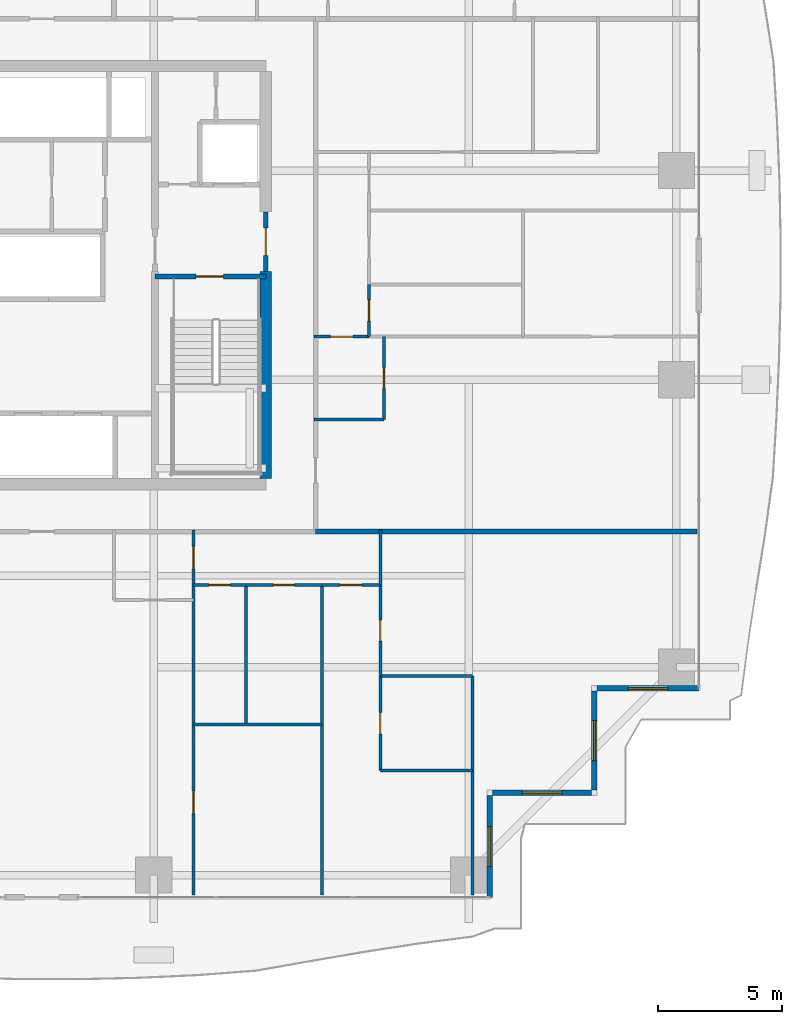
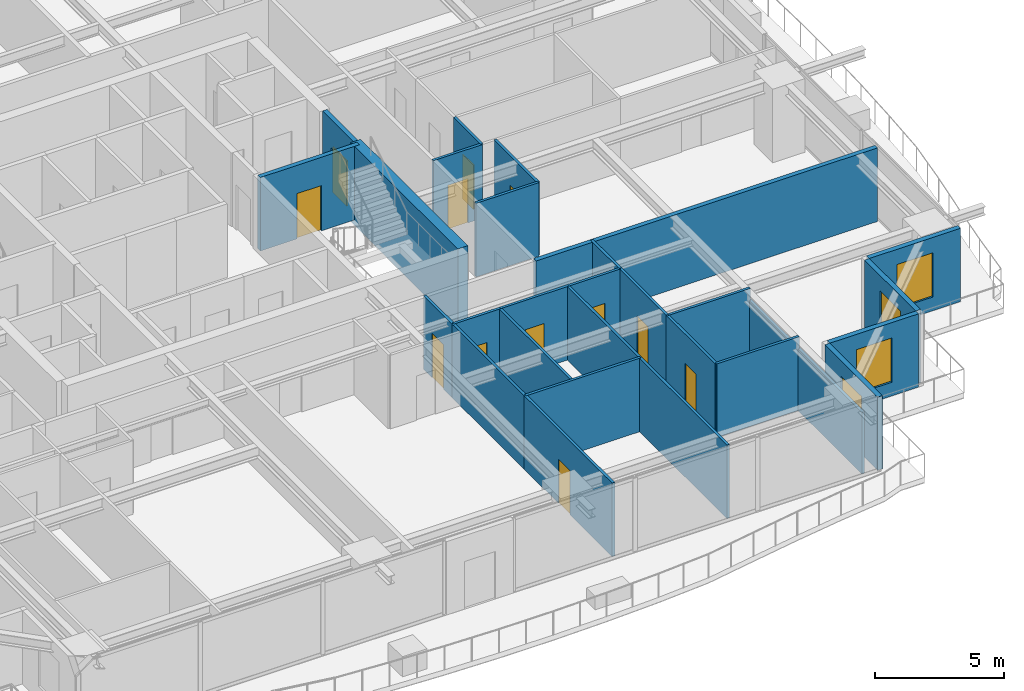
# One storey, part 29 of 39: 27 walls, 12 doors, 4 windows, 16 openings.
"""IFC4 building model written with IfcOpenShell, lengths in metres."""

from ifc_helpers import new_model, si_unit, direction, frame, frame_2d, origin, place, context, subcontext, project, spatial, rectangle, extrude, source, transform, mapped, material, layer, layer_set, type_object, element, fill, save


model = new_model("IFC4")

# Units and contexts
model_context = context("Model", 3, precision=1e-05, world=origin(), true_north=direction((0.0, 1.0)))
body_context = subcontext(model_context, "Body", "Model", "MODEL_VIEW")
ifc_project = project(units=[si_unit("LENGTHUNIT", "METRE"), si_unit("AREAUNIT", "SQUARE_METRE"), si_unit("VOLUMEUNIT", "CUBIC_METRE"), si_unit("PLANEANGLEUNIT", "RADIAN"), si_unit("MASSUNIT", "GRAM", prefix="KILO")], contexts=[model_context])

# Site, building, storey
site_placement = place(None, origin())
site = spatial("IfcSite", under=ifc_project, at=site_placement, CompositionType="ELEMENT")
building_placement = place(site_placement, origin())
building = spatial("IfcBuilding", under=site, at=building_placement, Name="Serunith Strait Residences", CompositionType="ELEMENT")
storey_placement = place(building_placement, frame((0.0, 0.0, 79.199951171875)))
storey = spatial("IfcBuildingStorey", under=building, at=storey_placement, Name="L19", CompositionType="ELEMENT", Elevation=79.199951171875)

# Wall, opening, window
ifc_material_1 = material(Name="Pale-Champagne Aluminium Insulated Panel", Category="aluminium")
ifc_layer_1 = layer(ifc_material_1, 0.219970703125, Name="Pale-Champagne Aluminium Insulated Panel")
ifc_layer_set_1 = layer_set([ifc_layer_1], Name="Pale-Champagne Aluminium Insulated Panel")
wall_type_1 = type_object("IfcWallType", Name="EW-ALUM-220", PredefinedType="ELEMENTEDWALL", material=ifc_layer_set_1)
wall_1_placement = place(storey_placement, frame((50.39990234375, 0.199951171875, 0.0), z_axis=(0.0, 0.0, 1.0), x_axis=(0.0, 1.0, 0.0)))
wall_1 = element("IfcWall", 1, at=wall_1_placement, inside=storey, type_object=wall_type_1, Name="L19 Girih Serrated Corner Wall 02", PredefinedType="ELEMENTEDWALL", context=body_context, shape_type="SweptSolid", body=[
    extrude(rectangle(XDim=4.090087890625, YDim=0.219970703125, at=frame_2d((2.044921875, 0.0))), origin(), (0.0, 0.0, 1.0), 3.47509765625),
])
opening_1_placement = place(wall_1_placement, frame((1.2451171875, 0.0, 0.64990234375)))
opening_1 = element("IfcOpeningElement", 2, at=opening_1_placement, cuts=wall_1, Name="Opening W-02", PredefinedType="OPENING", context=body_context, shape_type="SweptSolid", body=[
    extrude(rectangle(XDim=1.60009765625, YDim=2.10009765625, at=frame_2d((0.800048828125, 1.050048828125))), frame((0.0, 0.1201171875, 0.0), z_axis=(0.0, -1.0, 0.0), x_axis=(1.0, 0.0, 0.0)), (0.0, 0.0, 1.0), 0.239990234375),
])
ifc_material_2 = material(Name="Ceramic-Fritted Operable Aluminium Window Glass", Category="aluminium")
window_type = type_object("IfcWindowType", Name="WIN-C2", PartitioningType="DOUBLE_PANEL_VERTICAL", PredefinedType="WINDOW", material=ifc_material_2)
shared_shape_1 = source(origin(), body_context, "Body", "SweptSolid", [
    extrude(rectangle(XDim=1.60009765625, YDim=2.10009765625, at=frame_2d((0.800048828125, 1.050048828125))), frame((0.0, 0.030029296875, 0.0), z_axis=(0.0, -1.0, 0.0), x_axis=(1.0, 0.0, 0.0)), (0.0, 0.0, 1.0), 0.06005859375),
])
window_1_placement = place(opening_1_placement, origin())
window_1 = element("IfcWindow", 3, at=window_1_placement, inside=storey, type_object=window_type, Name="L19 Corner Operable Fritted Window 02", OverallHeight=2.10009765625, OverallWidth=1.60009765625, PartitioningType="SINGLE_PANEL", PredefinedType="WINDOW", context=body_context, shape_type="MappedRepresentation", body=[
    mapped(shared_shape_1, transform((0.0, 0.0, 0.0), scale=1.0)),
])
fill(opening_1, window_1)

wall_2_placement = place(storey_placement, frame((50.510009765625, 4.39990234375, 0.0), z_axis=(0.0, 0.0, 1.0), x_axis=(1.0, 0.0, 0.0)))
wall_2 = element("IfcWall", 4, at=wall_2_placement, inside=storey, type_object=wall_type_1, Name="L19 Girih Serrated Corner Wall 03", PredefinedType="ELEMENTEDWALL", context=body_context, shape_type="SweptSolid", body=[
    extrude(rectangle(XDim=3.97998046875, YDim=0.219970703125, at=frame_2d((1.989990234375, 0.0))), origin(), (0.0, 0.0, 1.0), 3.47509765625),
])
opening_2_placement = place(wall_2_placement, frame((1.18994140625, 0.0, 0.64990234375)))
opening_2 = element("IfcOpeningElement", 5, at=opening_2_placement, cuts=wall_2, Name="Opening W-02", PredefinedType="OPENING", context=body_context, shape_type="SweptSolid", body=[
    extrude(rectangle(XDim=1.60009765625, YDim=2.10009765625, at=frame_2d((0.800048828125, 1.050048828125))), frame((0.0, 0.1201171875, 0.0), z_axis=(0.0, -1.0, 0.0), x_axis=(1.0, 0.0, 0.0)), (0.0, 0.0, 1.0), 0.239990234375),
])
window_2_placement = place(opening_2_placement, origin())
window_2 = element("IfcWindow", 6, at=window_2_placement, inside=storey, type_object=window_type, Name="L19 Corner Operable Fritted Window 03", OverallHeight=2.10009765625, OverallWidth=1.60009765625, PartitioningType="SINGLE_PANEL", PredefinedType="WINDOW", context=body_context, shape_type="MappedRepresentation", body=[
    mapped(shared_shape_1, transform((0.0, 0.0, 0.0), scale=1.0)),
])
fill(opening_2, window_2)

wall_3_placement = place(storey_placement, frame((54.60009765625, 4.510009765625, 0.0), z_axis=(0.0, 0.0, 1.0), x_axis=(0.0, 1.0, 0.0)))
wall_3 = element("IfcWall", 7, at=wall_3_placement, inside=storey, type_object=wall_type_1, Name="L19 Girih Serrated Corner Wall 04", PredefinedType="ELEMENTEDWALL", context=body_context, shape_type="SweptSolid", body=[
    extrude(rectangle(XDim=3.97998046875, YDim=0.219970703125, at=frame_2d((1.989990234375, 0.0))), origin(), (0.0, 0.0, 1.0), 3.47509765625),
])
opening_3_placement = place(wall_3_placement, frame((1.18994140625, 0.0, 0.64990234375)))
opening_3 = element("IfcOpeningElement", 8, at=opening_3_placement, cuts=wall_3, Name="Opening W-02", PredefinedType="OPENING", context=body_context, shape_type="SweptSolid", body=[
    extrude(rectangle(XDim=1.60009765625, YDim=2.10009765625, at=frame_2d((0.800048828125, 1.050048828125))), frame((0.0, 0.1201171875, 0.0), z_axis=(0.0, -1.0, 0.0), x_axis=(1.0, 0.0, 0.0)), (0.0, 0.0, 1.0), 0.239990234375),
])
window_3_placement = place(opening_3_placement, origin())
window_3 = element("IfcWindow", 9, at=window_3_placement, inside=storey, type_object=window_type, Name="L19 Corner Operable Fritted Window 04", OverallHeight=2.10009765625, OverallWidth=1.60009765625, PartitioningType="SINGLE_PANEL", PredefinedType="WINDOW", context=body_context, shape_type="MappedRepresentation", body=[
    mapped(shared_shape_1, transform((0.0, 0.0, 0.0), scale=1.0)),
])
fill(opening_3, window_3)

wall_4_placement = place(storey_placement, frame((54.7099609375, 8.60009765625, 0.0), z_axis=(0.0, 0.0, 1.0), x_axis=(1.0, 0.0, 0.0)))
wall_4 = element("IfcWall", 10, at=wall_4_placement, inside=storey, type_object=wall_type_1, Name="L19 Girih Serrated Corner Wall 05", PredefinedType="ELEMENTEDWALL", context=body_context, shape_type="SweptSolid", body=[
    extrude(rectangle(XDim=4.090087890625, YDim=0.219970703125, at=frame_2d((2.044921875, 0.0))), origin(), (0.0, 0.0, 1.0), 3.47509765625),
])
opening_4_placement = place(wall_4_placement, frame((1.2451171875, 0.0, 0.64990234375)))
opening_4 = element("IfcOpeningElement", 11, at=opening_4_placement, cuts=wall_4, Name="Opening W-02", PredefinedType="OPENING", context=body_context, shape_type="SweptSolid", body=[
    extrude(rectangle(XDim=1.60009765625, YDim=2.10009765625, at=frame_2d((0.800048828125, 1.050048828125))), frame((0.0, 0.1201171875, 0.0), z_axis=(0.0, -1.0, 0.0), x_axis=(1.0, 0.0, 0.0)), (0.0, 0.0, 1.0), 0.239990234375),
])
window_4_placement = place(opening_4_placement, origin())
window_4 = element("IfcWindow", 12, at=window_4_placement, inside=storey, type_object=window_type, Name="L19 Corner Operable Fritted Window 05", OverallHeight=2.10009765625, OverallWidth=1.60009765625, PartitioningType="SINGLE_PANEL", PredefinedType="WINDOW", context=body_context, shape_type="MappedRepresentation", body=[
    mapped(shared_shape_1, transform((0.0, 0.0, 0.0), scale=1.0)),
])
fill(opening_4, window_4)

# Wall, opening, door
ifc_material_3 = material(Name="Lightweight steel-stud gypsum partition", Category="steel")
ifc_layer_2 = layer(ifc_material_3, 0.1201171875, Name="Lightweight steel-stud gypsum partition")
ifc_layer_set_2 = layer_set([ifc_layer_2], Name="Lightweight steel-stud gypsum partition")
wall_type_2 = type_object("IfcWallType", Name="IW-PART-120", PredefinedType="PARTITIONING", material=ifc_layer_set_2)
wall_5_placement = place(storey_placement, frame((38.5, 12.75, 0.0), z_axis=(0.0, 0.0, 1.0), x_axis=(0.0, 1.0, 0.0)))
wall_5 = element("IfcWall", 13, at=wall_5_placement, inside=storey, type_object=wall_type_2, Name="L19 Partition Wall 047", PredefinedType="PARTITIONING", context=body_context, shape_type="SweptSolid", body=[
    extrude(rectangle(XDim=2.2099609375, YDim=0.1201171875, at=frame_2d((1.10498046875, 0.0))), origin(), (0.0, 0.0, 1.0), 3.489990234375),
])
opening_5_placement = place(wall_5_placement, frame((0.655029296875, 0.0, 0.0)))
opening_5 = element("IfcOpeningElement", 14, at=opening_5_placement, cuts=wall_5, Name="Opening D-RM900", PredefinedType="OPENING", context=body_context, shape_type="SweptSolid", body=[
    extrude(rectangle(XDim=0.89990234375, YDim=2.10009765625, at=frame_2d((0.449951171875, 1.050048828125))), frame((0.0, 0.070068359375, 0.0), z_axis=(0.0, -1.0, 0.0), x_axis=(1.0, 0.0, 0.0)), (0.0, 0.0, 1.0), 0.14013671875),
])
ifc_material_4 = material(Name="Engineered timber flush bedroom door", Category="wood")
door_type_1 = type_object("IfcDoorType", Name="ID-ROOM-900", OperationType="NOTDEFINED", PredefinedType="DOOR", material=ifc_material_4)
shared_shape_2 = source(origin(), body_context, "Body", "SweptSolid", [
    extrude(rectangle(XDim=0.89990234375, YDim=2.10009765625, at=frame_2d((0.449951171875, 1.050048828125))), frame((0.0, 0.02490234375, 0.0), z_axis=(0.0, -1.0, 0.0), x_axis=(1.0, 0.0, 0.0)), (0.0, 0.0, 1.0), 0.050048828125),
])
door_1_placement = place(opening_5_placement, origin())
door_1 = element("IfcDoor", 15, at=door_1_placement, inside=storey, type_object=door_type_1, Name="L19 Hall E 1902 Door", OperationType="SINGLE_SWING_LEFT", OverallHeight=2.10009765625, OverallWidth=0.89990234375, PredefinedType="DOOR", context=body_context, shape_type="MappedRepresentation", body=[
    mapped(shared_shape_2, transform((0.0, 0.0, 0.0), scale=1.0)),
])
fill(opening_5, door_1)

wall_6_placement = place(storey_placement, frame((38.5, 0.294921875, 0.0), z_axis=(0.0, 0.0, 1.0), x_axis=(0.0, 1.0, 0.0)))
wall_6 = element("IfcWall", 16, at=wall_6_placement, inside=storey, type_object=wall_type_2, Name="L19 Partition Wall 048", PredefinedType="PARTITIONING", context=body_context, shape_type="SweptSolid", body=[
    extrude(rectangle(XDim=6.85107421875, YDim=0.1201171875, at=frame_2d((3.425537109375, 0.0))), origin(), (0.0, 0.0, 1.0), 3.489990234375),
])
opening_6_placement = place(wall_6_placement, frame((3.27294921875, 0.0, 0.0)))
opening_6 = element("IfcOpeningElement", 17, at=opening_6_placement, cuts=wall_6, Name="Opening D-RM900", PredefinedType="OPENING", context=body_context, shape_type="SweptSolid", body=[
    extrude(rectangle(XDim=0.89990234375, YDim=2.10009765625, at=frame_2d((0.449951171875, 1.050048828125))), frame((0.0, 0.070068359375, 0.0), z_axis=(0.0, -1.0, 0.0), x_axis=(1.0, 0.0, 0.0)), (0.0, 0.0, 1.0), 0.14013671875),
])
door_2_placement = place(opening_6_placement, origin())
door_2 = element("IfcDoor", 18, at=door_2_placement, inside=storey, type_object=door_type_1, Name="L19 Formal Dining Room 1 1902 Door", OperationType="SINGLE_SWING_RIGHT", OverallHeight=2.10009765625, OverallWidth=0.89990234375, PredefinedType="DOOR", context=body_context, shape_type="MappedRepresentation", body=[
    mapped(shared_shape_2, transform((0.0, 0.0, 0.0), scale=1.0)),
])
fill(opening_6, door_2)

# Walls
wall_7_placement = place(storey_placement, frame((38.5, 7.14794921875, 0.0), z_axis=(0.0, 0.0, 1.0), x_axis=(0.0, 1.0, 0.0)))
element("IfcWall", 19, at=wall_7_placement, inside=storey, type_object=wall_type_2, Name="L19 Partition Wall 049", PredefinedType="PARTITIONING", context=body_context, shape_type="SweptSolid", body=[
    extrude(rectangle(XDim=5.60009765625, YDim=0.1201171875, at=frame_2d((2.800048828125, 0.0))), origin(), (0.0, 0.0, 1.0), 3.489990234375),
])
wall_8_placement = place(storey_placement, frame((38.5, 7.14599609375, 0.0), z_axis=(0.0, 0.0, 1.0), x_axis=(1.0, 0.0, 0.0)))
element("IfcWall", 20, at=wall_8_placement, inside=storey, type_object=wall_type_2, Name="L19 Partition Wall 050", PredefinedType="PARTITIONING", context=body_context, shape_type="SweptSolid", body=[
    extrude(rectangle(XDim=5.14990234375, YDim=0.1201171875, at=frame_2d((2.574951171875, 0.0))), origin(), (0.0, 0.0, 1.0), 3.489990234375),
])
wall_9_placement = place(storey_placement, frame((43.64990234375, 0.294921875, 0.0), z_axis=(0.0, 0.0, 1.0), x_axis=(0.0, 1.0, 0.0)))
element("IfcWall", 21, at=wall_9_placement, inside=storey, type_object=wall_type_2, Name="L19 Partition Wall 051", PredefinedType="PARTITIONING", context=body_context, shape_type="SweptSolid", body=[
    extrude(rectangle(XDim=12.455078125, YDim=0.1201171875, at=frame_2d((6.2275390625, 0.0))), origin(), (0.0, 0.0, 1.0), 3.489990234375),
])
wall_10_placement = place(storey_placement, frame((40.60009765625, 7.14599609375, 0.0), z_axis=(0.0, 0.0, 1.0), x_axis=(0.0, 1.0, 0.0)))
element("IfcWall", 22, at=wall_10_placement, inside=storey, type_object=wall_type_2, Name="L19 Partition Wall 052", PredefinedType="PARTITIONING", context=body_context, shape_type="SweptSolid", body=[
    extrude(rectangle(XDim=5.60400390625, YDim=0.1201171875, at=frame_2d((2.802001953125, 0.0))), origin(), (0.0, 0.0, 1.0), 3.489990234375),
])

# Wall, opening, door
wall_11_placement = place(storey_placement, frame((38.5, 12.75, 0.0), z_axis=(0.0, 0.0, 1.0), x_axis=(1.0, 0.0, 0.0)))
wall_11 = element("IfcWall", 23, at=wall_11_placement, inside=storey, type_object=wall_type_2, Name="L19 Partition Wall 053", PredefinedType="PARTITIONING", context=body_context, shape_type="SweptSolid", body=[
    extrude(rectangle(XDim=2.10009765625, YDim=0.1201171875, at=frame_2d((1.050048828125, 0.0))), origin(), (0.0, 0.0, 1.0), 3.489990234375),
])
opening_7_placement = place(wall_11_placement, frame((0.625, 0.0, 0.0)))
opening_7 = element("IfcOpeningElement", 24, at=opening_7_placement, cuts=wall_11, Name="Opening D-BTH850", PredefinedType="OPENING", context=body_context, shape_type="SweptSolid", body=[
    extrude(rectangle(XDim=0.85009765625, YDim=2.10009765625, at=frame_2d((0.425048828125, 1.050048828125))), frame((0.0, 0.070068359375, 0.0), z_axis=(0.0, -1.0, 0.0), x_axis=(1.0, 0.0, 0.0)), (0.0, 0.0, 1.0), 0.14013671875),
])
ifc_material_5 = material(Name="Moisture-resistant timber bathroom door", Category="wood")
door_type_2 = type_object("IfcDoorType", Name="ID-BATH-850", OperationType="NOTDEFINED", PredefinedType="DOOR", material=ifc_material_5)
shared_shape_3 = source(origin(), body_context, "Body", "SweptSolid", [
    extrude(rectangle(XDim=0.85009765625, YDim=2.10009765625, at=frame_2d((0.425048828125, 1.050048828125))), frame((0.0, 0.02490234375, 0.0), z_axis=(0.0, -1.0, 0.0), x_axis=(1.0, 0.0, 0.0)), (0.0, 0.0, 1.0), 0.050048828125),
])
door_3_placement = place(opening_7_placement, origin())
door_3 = element("IfcDoor", 25, at=door_3_placement, inside=storey, type_object=door_type_2, Name="L19 Bathroom 1902 Door", OperationType="SINGLE_SWING_LEFT", OverallHeight=2.10009765625, OverallWidth=0.85009765625, PredefinedType="DOOR", context=body_context, shape_type="MappedRepresentation", body=[
    mapped(shared_shape_3, transform((0.0, 0.0, 0.0), scale=1.0)),
])
fill(opening_7, door_3)

wall_12_placement = place(storey_placement, frame((40.60205078125, 12.75, 0.0), z_axis=(0.0, 0.0, 1.0), x_axis=(1.0, 0.0, 0.0)))
wall_12 = element("IfcWall", 26, at=wall_12_placement, inside=storey, type_object=wall_type_2, Name="L19 Partition Wall 054", PredefinedType="PARTITIONING", context=body_context, shape_type="SweptSolid", body=[
    extrude(rectangle(XDim=3.0478515625, YDim=0.1201171875, at=frame_2d((1.52392578125, 0.0))), origin(), (0.0, 0.0, 1.0), 3.489990234375),
])
opening_8_placement = place(wall_12_placement, frame((1.09912109375, 0.0, 0.0)))
opening_8 = element("IfcOpeningElement", 27, at=opening_8_placement, cuts=wall_12, Name="Opening D-RM850", PredefinedType="OPENING", context=body_context, shape_type="SweptSolid", body=[
    extrude(rectangle(XDim=0.85009765625, YDim=2.10009765625, at=frame_2d((0.425048828125, 1.050048828125))), frame((0.0, 0.070068359375, 0.0), z_axis=(0.0, -1.0, 0.0), x_axis=(1.0, 0.0, 0.0)), (0.0, 0.0, 1.0), 0.14013671875),
])
ifc_material_6 = material(Name="Engineered timber flush study and kitchen door", Category="wood")
door_type_3 = type_object("IfcDoorType", Name="ID-ROOM-850", OperationType="NOTDEFINED", PredefinedType="DOOR", material=ifc_material_6)
door_4_placement = place(opening_8_placement, origin())
door_4 = element("IfcDoor", 28, at=door_4_placement, inside=storey, type_object=door_type_3, Name="L19 Formal Dining Room 1902 Door", OperationType="SINGLE_SWING_RIGHT", OverallHeight=2.10009765625, OverallWidth=0.85009765625, PredefinedType="DOOR", context=body_context, shape_type="MappedRepresentation", body=[
    mapped(shared_shape_3, transform((0.0, 0.0, 0.0), scale=1.0)),
])
fill(opening_8, door_4)

wall_13_placement = place(storey_placement, frame((43.652099609375, 12.75, 0.0), z_axis=(0.0, 0.0, 1.0), x_axis=(1.0, 0.0, 0.0)))
wall_13 = element("IfcWall", 29, at=wall_13_placement, inside=storey, type_object=wall_type_2, Name="L19 Partition Wall 055", PredefinedType="PARTITIONING", context=body_context, shape_type="SweptSolid", body=[
    extrude(rectangle(XDim=2.347900390625, YDim=0.1201171875, at=frame_2d((1.173828125, 0.0))), origin(), (0.0, 0.0, 1.0), 3.489990234375),
])
opening_9_placement = place(wall_13_placement, frame((0.72412109375, 0.0, 0.0)))
opening_9 = element("IfcOpeningElement", 30, at=opening_9_placement, cuts=wall_13, Name="Opening D-RM900", PredefinedType="OPENING", context=body_context, shape_type="SweptSolid", body=[
    extrude(rectangle(XDim=0.89990234375, YDim=2.10009765625, at=frame_2d((0.449951171875, 1.050048828125))), frame((0.0, 0.070068359375, 0.0), z_axis=(0.0, -1.0, 0.0), x_axis=(1.0, 0.0, 0.0)), (0.0, 0.0, 1.0), 0.14013671875),
])
door_5_placement = place(opening_9_placement, origin())
door_5 = element("IfcDoor", 31, at=door_5_placement, inside=storey, type_object=door_type_1, Name="L19 Master Bedroom E 1902 Door", OperationType="SINGLE_SWING_LEFT", OverallHeight=2.10009765625, OverallWidth=0.89990234375, PredefinedType="DOOR", context=body_context, shape_type="MappedRepresentation", body=[
    mapped(shared_shape_2, transform((0.0, 0.0, 0.0), scale=1.0)),
])
fill(opening_9, door_5)

# Walls
wall_14_placement = place(storey_placement, frame((46.0, 5.30908203125, 0.0), z_axis=(0.0, 0.0, 1.0), x_axis=(1.0, 0.0, 0.0)))
element("IfcWall", 32, at=wall_14_placement, inside=storey, type_object=wall_type_2, Name="L19 Partition Wall 056", PredefinedType="PARTITIONING", context=body_context, shape_type="SweptSolid", body=[
    extrude(rectangle(XDim=3.699951171875, YDim=0.1201171875, at=frame_2d((1.85009765625, 0.0))), origin(), (0.0, 0.0, 1.0), 3.489990234375),
])
wall_15_placement = place(storey_placement, frame((49.699951171875, 0.294921875, 0.0), z_axis=(0.0, 0.0, 1.0), x_axis=(0.0, 1.0, 0.0)))
element("IfcWall", 33, at=wall_15_placement, inside=storey, type_object=wall_type_2, Name="L19 Partition Wall 057", PredefinedType="PARTITIONING", context=body_context, shape_type="SweptSolid", body=[
    extrude(rectangle(XDim=8.798095703125, YDim=0.1201171875, at=frame_2d((4.39892578125, 0.0))), origin(), (0.0, 0.0, 1.0), 2.922119140625),
])
wall_16_placement = place(storey_placement, frame((46.0, 9.093017578125, 0.0), z_axis=(0.0, 0.0, 1.0), x_axis=(1.0, 0.0, 0.0)))
element("IfcWall", 34, at=wall_16_placement, inside=storey, type_object=wall_type_2, Name="L19 Partition Wall 058", PredefinedType="PARTITIONING", context=body_context, shape_type="SweptSolid", body=[
    extrude(rectangle(XDim=3.699951171875, YDim=0.1201171875, at=frame_2d((1.85009765625, 0.0))), origin(), (0.0, 0.0, 1.0), 3.489990234375),
])

# Wall, opening, door
wall_17_placement = place(storey_placement, frame((46.0, 5.30908203125, 0.0), z_axis=(0.0, 0.0, 1.0), x_axis=(0.0, 1.0, 0.0)))
wall_17 = element("IfcWall", 35, at=wall_17_placement, inside=storey, type_object=wall_type_2, Name="L19 Partition Wall 059", PredefinedType="PARTITIONING", context=body_context, shape_type="SweptSolid", body=[
    extrude(rectangle(XDim=3.783935546875, YDim=0.1201171875, at=frame_2d((1.89208984375, 0.0))), origin(), (0.0, 0.0, 1.0), 3.489990234375),
])
opening_10_placement = place(wall_17_placement, frame((1.467041015625, 0.0, 0.0)))
opening_10 = element("IfcOpeningElement", 36, at=opening_10_placement, cuts=wall_17, Name="Opening D-BTH850", PredefinedType="OPENING", context=body_context, shape_type="SweptSolid", body=[
    extrude(rectangle(XDim=0.85009765625, YDim=2.10009765625, at=frame_2d((0.425048828125, 1.050048828125))), frame((0.0, 0.070068359375, 0.0), z_axis=(0.0, -1.0, 0.0), x_axis=(1.0, 0.0, 0.0)), (0.0, 0.0, 1.0), 0.14013671875),
])
door_6_placement = place(opening_10_placement, origin())
door_6 = element("IfcDoor", 37, at=door_6_placement, inside=storey, type_object=door_type_2, Name="L19 En-suite Bathroom E 1902 Door", OperationType="SINGLE_SWING_RIGHT", OverallHeight=2.10009765625, OverallWidth=0.85009765625, PredefinedType="DOOR", context=body_context, shape_type="MappedRepresentation", body=[
    mapped(shared_shape_3, transform((0.0, 0.0, 0.0), scale=1.0)),
])
fill(opening_10, door_6)

wall_18_placement = place(storey_placement, frame((46.0, 9.094970703125, 0.0), z_axis=(0.0, 0.0, 1.0), x_axis=(0.0, 1.0, 0.0)))
wall_18 = element("IfcWall", 38, at=wall_18_placement, inside=storey, type_object=wall_type_2, Name="L19 Partition Wall 060", PredefinedType="PARTITIONING", context=body_context, shape_type="SweptSolid", body=[
    extrude(rectangle(XDim=3.655029296875, YDim=0.1201171875, at=frame_2d((1.82763671875, 0.0))), origin(), (0.0, 0.0, 1.0), 3.489990234375),
])
opening_11_placement = place(wall_18_placement, frame((1.402099609375, 0.0, 0.0)))
opening_11 = element("IfcOpeningElement", 39, at=opening_11_placement, cuts=wall_18, Name="Opening D-RM850", PredefinedType="OPENING", context=body_context, shape_type="SweptSolid", body=[
    extrude(rectangle(XDim=0.85009765625, YDim=2.10009765625, at=frame_2d((0.425048828125, 1.050048828125))), frame((0.0, 0.070068359375, 0.0), z_axis=(0.0, -1.0, 0.0), x_axis=(1.0, 0.0, 0.0)), (0.0, 0.0, 1.0), 0.14013671875),
])
door_7_placement = place(opening_11_placement, origin())
door_7 = element("IfcDoor", 40, at=door_7_placement, inside=storey, type_object=door_type_3, Name="L19 Wardrobe E 1902 Door", OperationType="SINGLE_SWING_LEFT", OverallHeight=2.10009765625, OverallWidth=0.85009765625, PredefinedType="DOOR", context=body_context, shape_type="MappedRepresentation", body=[
    mapped(shared_shape_3, transform((0.0, 0.0, 0.0), scale=1.0)),
])
fill(opening_11, door_7)

# Wall
wall_19_placement = place(storey_placement, frame((46.0, 12.751953125, 0.0), z_axis=(0.0, 0.0, 1.0), x_axis=(0.0, 1.0, 0.0)))
element("IfcWall", 41, at=wall_19_placement, inside=storey, type_object=wall_type_2, Name="L19 Partition Wall 061", PredefinedType="PARTITIONING", context=body_context, shape_type="SweptSolid", body=[
    extrude(rectangle(XDim=2.2080078125, YDim=0.1201171875, at=frame_2d((1.10400390625, 0.0))), origin(), (0.0, 0.0, 1.0), 3.489990234375),
])

# Wall, opening, door
wall_20_placement = place(storey_placement, frame((46.14990234375, 19.39990234375, 0.0), z_axis=(0.0, 0.0, 1.0), x_axis=(0.0, 1.0, 0.0)))
wall_20 = element("IfcWall", 42, at=wall_20_placement, inside=storey, type_object=wall_type_2, Name="L19 Partition Wall 107", PredefinedType="PARTITIONING", context=body_context, shape_type="SweptSolid", body=[
    extrude(rectangle(XDim=3.330078125, YDim=0.1201171875, at=frame_2d((1.6650390625, 0.0))), origin(), (0.0, 0.0, 1.0), 3.489990234375),
])
opening_12_placement = place(wall_20_placement, frame((1.239990234375, 0.0, 0.0)))
opening_12 = element("IfcOpeningElement", 43, at=opening_12_placement, cuts=wall_20, Name="Opening D-RM850", PredefinedType="OPENING", context=body_context, shape_type="SweptSolid", body=[
    extrude(rectangle(XDim=0.85009765625, YDim=2.10009765625, at=frame_2d((0.425048828125, 1.050048828125))), frame((0.0, 0.070068359375, 0.0), z_axis=(0.0, -1.0, 0.0), x_axis=(1.0, 0.0, 0.0)), (0.0, 0.0, 1.0), 0.14013671875),
])
door_8_placement = place(opening_12_placement, origin())
door_8 = element("IfcDoor", 44, at=door_8_placement, inside=storey, type_object=door_type_3, Name="L19 Kitchen 1908 Door", OperationType="SINGLE_SWING_RIGHT", OverallHeight=2.10009765625, OverallWidth=0.85009765625, PredefinedType="DOOR", context=body_context, shape_type="MappedRepresentation", body=[
    mapped(shared_shape_3, transform((0.0, 0.0, 0.0), scale=1.0)),
])
fill(opening_12, door_8)

# Wall
wall_21_placement = place(storey_placement, frame((46.14990234375, 19.39990234375, 0.0), z_axis=(0.0, 0.0, 1.0), x_axis=(-1.0, 0.0, 0.0)))
element("IfcWall", 45, at=wall_21_placement, inside=storey, type_object=wall_type_2, Name="L19 Partition Wall 108", PredefinedType="PARTITIONING", context=body_context, shape_type="SweptSolid", body=[
    extrude(rectangle(XDim=2.809814453125, YDim=0.1201171875, at=frame_2d((1.40478515625, 0.0))), origin(), (0.0, 0.0, 1.0), 3.489990234375),
])

# Wall, opening, door
wall_22_placement = place(storey_placement, frame((45.550048828125, 22.72998046875, 0.0), z_axis=(0.0, 0.0, 1.0), x_axis=(-1.0, 0.0, 0.0)))
wall_22 = element("IfcWall", 46, at=wall_22_placement, inside=storey, type_object=wall_type_2, Name="L19 Partition Wall 109", PredefinedType="PARTITIONING", context=body_context, shape_type="SweptSolid", body=[
    extrude(rectangle(XDim=2.2099609375, YDim=0.1201171875, at=frame_2d((1.10498046875, 0.0))), origin(), (0.0, 0.0, 1.0), 3.489990234375),
])
opening_13_placement = place(wall_22_placement, frame((0.655029296875, 0.0, 0.0)))
opening_13 = element("IfcOpeningElement", 47, at=opening_13_placement, cuts=wall_22, Name="Opening D-RM900", PredefinedType="OPENING", context=body_context, shape_type="SweptSolid", body=[
    extrude(rectangle(XDim=0.89990234375, YDim=2.10009765625, at=frame_2d((0.449951171875, 1.050048828125))), frame((0.0, 0.070068359375, 0.0), z_axis=(0.0, -1.0, 0.0), x_axis=(1.0, 0.0, 0.0)), (0.0, 0.0, 1.0), 0.14013671875),
])
door_9_placement = place(opening_13_placement, origin())
door_9 = element("IfcDoor", 48, at=door_9_placement, inside=storey, type_object=door_type_1, Name="L19 Hall E 1908 Door", OperationType="SINGLE_SWING_LEFT", OverallHeight=2.10009765625, OverallWidth=0.89990234375, PredefinedType="DOOR", context=body_context, shape_type="MappedRepresentation", body=[
    mapped(shared_shape_2, transform((0.0, 0.0, 0.0), scale=1.0)),
])
fill(opening_13, door_9)

wall_23_placement = place(storey_placement, frame((45.550048828125, 22.72998046875, 0.0), z_axis=(0.0, 0.0, 1.0), x_axis=(0.0, 1.0, 0.0)))
wall_23 = element("IfcWall", 49, at=wall_23_placement, inside=storey, type_object=wall_type_2, Name="L19 Partition Wall 115", PredefinedType="PARTITIONING", context=body_context, shape_type="SweptSolid", body=[
    extrude(rectangle(XDim=2.10009765625, YDim=0.1201171875, at=frame_2d((1.050048828125, 0.0))), origin(), (0.0, 0.0, 1.0), 3.489990234375),
])
opening_14_placement = place(wall_23_placement, frame((0.625, 0.0, 0.0)))
opening_14 = element("IfcOpeningElement", 50, at=opening_14_placement, cuts=wall_23, Name="Opening D-BTH850", PredefinedType="OPENING", context=body_context, shape_type="SweptSolid", body=[
    extrude(rectangle(XDim=0.85009765625, YDim=2.10009765625, at=frame_2d((0.425048828125, 1.050048828125))), frame((0.0, 0.070068359375, 0.0), z_axis=(0.0, -1.0, 0.0), x_axis=(1.0, 0.0, 0.0)), (0.0, 0.0, 1.0), 0.14013671875),
])
door_10_placement = place(opening_14_placement, origin())
door_10 = element("IfcDoor", 51, at=door_10_placement, inside=storey, type_object=door_type_2, Name="L19 Bathroom 1908 Door", OperationType="SINGLE_SWING_LEFT", OverallHeight=2.10009765625, OverallWidth=0.85009765625, PredefinedType="DOOR", context=body_context, shape_type="MappedRepresentation", body=[
    mapped(shared_shape_3, transform((0.0, 0.0, 0.0), scale=1.0)),
])
fill(opening_14, door_10)

# Wall
ifc_material_7 = material(Name="Twin-stud acoustic gypsum board partition")
ifc_layer_3 = layer(ifc_material_7, 0.199951171875, Name="Twin-stud acoustic gypsum board partition")
ifc_layer_set_3 = layer_set([ifc_layer_3], Name="Twin-stud acoustic gypsum board partition")
wall_type_3 = type_object("IfcWallType", Name="IW-PARTY-200", PredefinedType="PARTITIONING", material=ifc_layer_set_3)
wall_24_placement = place(storey_placement, frame((43.39990234375, 14.89990234375, 0.0), z_axis=(0.0, 0.0, 1.0), x_axis=(1.0, 0.0, 0.0)))
element("IfcWall", 52, at=wall_24_placement, inside=storey, type_object=wall_type_3, Name="L19 Partition Wall 022", PredefinedType="PARTITIONING", context=body_context, shape_type="SweptSolid", body=[
    extrude(rectangle(XDim=15.318115234375, YDim=0.199951171875, at=frame_2d((7.6591796875, 0.0))), origin(), (0.0, 0.0, 1.0), 3.489990234375),
])

# Wall, opening, door
ifc_material_8 = material(Name="Autoclaved aerated concrete blockwork", Category="masonry")
ifc_layer_4 = layer(ifc_material_8, 0.199951171875, Name="Autoclaved aerated concrete blockwork")
ifc_layer_set_4 = layer_set([ifc_layer_4], Name="Autoclaved aerated concrete blockwork")
wall_type_4 = type_object("IfcWallType", Name="IW-SHAFT-200", PredefinedType="STANDARD", material=ifc_layer_set_4)
wall_25_placement = place(storey_placement, frame((36.949951171875, 25.14990234375, 0.0), z_axis=(0.0, 0.0, 1.0), x_axis=(1.0, 0.0, 0.0)))
wall_25 = element("IfcWall", 53, at=wall_25_placement, inside=storey, type_object=wall_type_4, Name="L19 ST-2 North Shaft Wall", PredefinedType="STANDARD", context=body_context, shape_type="SweptSolid", body=[
    extrude(rectangle(XDim=4.449951171875, YDim=0.199951171875, at=frame_2d((2.22509765625, 0.0))), origin(), (0.0, 0.0, 1.0), 3.489990234375),
])
opening_15_placement = place(wall_25_placement, frame((1.64990234375, 0.0, 0.0)))
opening_15 = element("IfcOpeningElement", 54, at=opening_15_placement, cuts=wall_25, Name="Opening FD-1100", PredefinedType="OPENING", context=body_context, shape_type="SweptSolid", body=[
    extrude(rectangle(XDim=1.10009765625, YDim=2.14990234375, at=frame_2d((0.550048828125, 1.074951171875))), frame((0.0, 0.10986328125, 0.0), z_axis=(0.0, -1.0, 0.0), x_axis=(1.0, 0.0, 0.0)), (0.0, 0.0, 1.0), 0.219970703125),
])
ifc_material_9 = material(Name="Galvanised steel fire door leaf", Category="steel")
door_type_4 = type_object("IfcDoorType", Name="FD-STAIR-1100", OperationType="NOTDEFINED", PredefinedType="DOOR", material=ifc_material_9)
shared_shape_4 = source(origin(), body_context, "Body", "SweptSolid", [
    extrude(rectangle(XDim=1.10009765625, YDim=2.14990234375, at=frame_2d((0.550048828125, 1.074951171875))), frame((0.0, 0.02490234375, 0.0), z_axis=(0.0, -1.0, 0.0), x_axis=(1.0, 0.0, 0.0)), (0.0, 0.0, 1.0), 0.050048828125),
])
door_11_placement = place(opening_15_placement, origin())
door_11 = element("IfcDoor", 55, at=door_11_placement, inside=storey, type_object=door_type_4, Name="L19 ST-2 Escape Stair Door", OperationType="SINGLE_SWING_RIGHT", OverallHeight=2.14990234375, OverallWidth=1.10009765625, PredefinedType="DOOR", context=body_context, shape_type="MappedRepresentation", body=[
    mapped(shared_shape_4, transform((0.0, 0.0, 0.0), scale=1.0)),
])
fill(opening_15, door_11)

wall_26_placement = place(storey_placement, frame((41.39990234375, 25.35205078125, 0.0), z_axis=(0.0, 0.0, 1.0), x_axis=(0.0, 1.0, 0.0)))
wall_26 = element("IfcWall", 56, at=wall_26_placement, inside=storey, type_object=wall_type_4, Name="L19 Partition Wall 008", PredefinedType="STANDARD", context=body_context, shape_type="SweptSolid", body=[
    extrude(rectangle(XDim=2.39599609375, YDim=0.199951171875, at=frame_2d((1.197998046875, 0.0))), origin(), (0.0, 0.0, 1.0), 3.489990234375),
])
opening_16_placement = place(wall_26_placement, frame((0.64794921875, 0.0, 0.0)))
opening_16 = element("IfcOpeningElement", 57, at=opening_16_placement, cuts=wall_26, Name="Opening FD-FFL", PredefinedType="OPENING", context=body_context, shape_type="SweptSolid", body=[
    extrude(rectangle(XDim=1.10009765625, YDim=2.14990234375, at=frame_2d((0.550048828125, 1.074951171875))), frame((0.0, 0.10986328125, 0.0), z_axis=(0.0, -1.0, 0.0), x_axis=(1.0, 0.0, 0.0)), (0.0, 0.0, 1.0), 0.219970703125),
])
ifc_material_10 = material(Name="Glazed steel smoke-lobby fire door", Category="steel")
door_type_5 = type_object("IfcDoorType", Name="FD-FFL-1100", OperationType="NOTDEFINED", PredefinedType="DOOR", material=ifc_material_10)
door_12_placement = place(opening_16_placement, origin())
door_12 = element("IfcDoor", 58, at=door_12_placement, inside=storey, type_object=door_type_5, Name="L19 FFL-2 Corridor Fire Door", OperationType="SINGLE_SWING_RIGHT", OverallHeight=2.14990234375, OverallWidth=1.10009765625, PredefinedType="DOOR", context=body_context, shape_type="MappedRepresentation", body=[
    mapped(shared_shape_4, transform((0.0, 0.0, 0.0), scale=1.0)),
])
fill(opening_16, door_12)

# Wall
ifc_material_11 = material(Name="Concrete C80/95", Category="concrete")
ifc_layer_5 = layer(ifc_material_11, 0.449951171875, Name="Concrete C80/95")
ifc_layer_set_5 = layer_set([ifc_layer_5], Name="Concrete C80/95")
wall_type_5 = type_object("IfcWallType", Name="SW-450-C80", PredefinedType="SHEAR", material=ifc_layer_set_5)
wall_27_placement = place(storey_placement, frame((41.39990234375, 17.02490234375, -0.260009765625), z_axis=(0.0, 0.0, 1.0), x_axis=(0.0, 1.0, 0.0)))
element("IfcWall", 59, at=wall_27_placement, inside=storey, type_object=wall_type_5, Name="L19 Core East Shear Wall South Pier", PredefinedType="SHEAR", context=body_context, shape_type="SweptSolid", body=[
    extrude(rectangle(XDim=8.3251953125, YDim=0.449951171875, at=frame_2d((4.16259765625, 0.0))), origin(), (0.0, 0.0, 1.0), 3.748046875),
])

save(model, "model.ifc")
